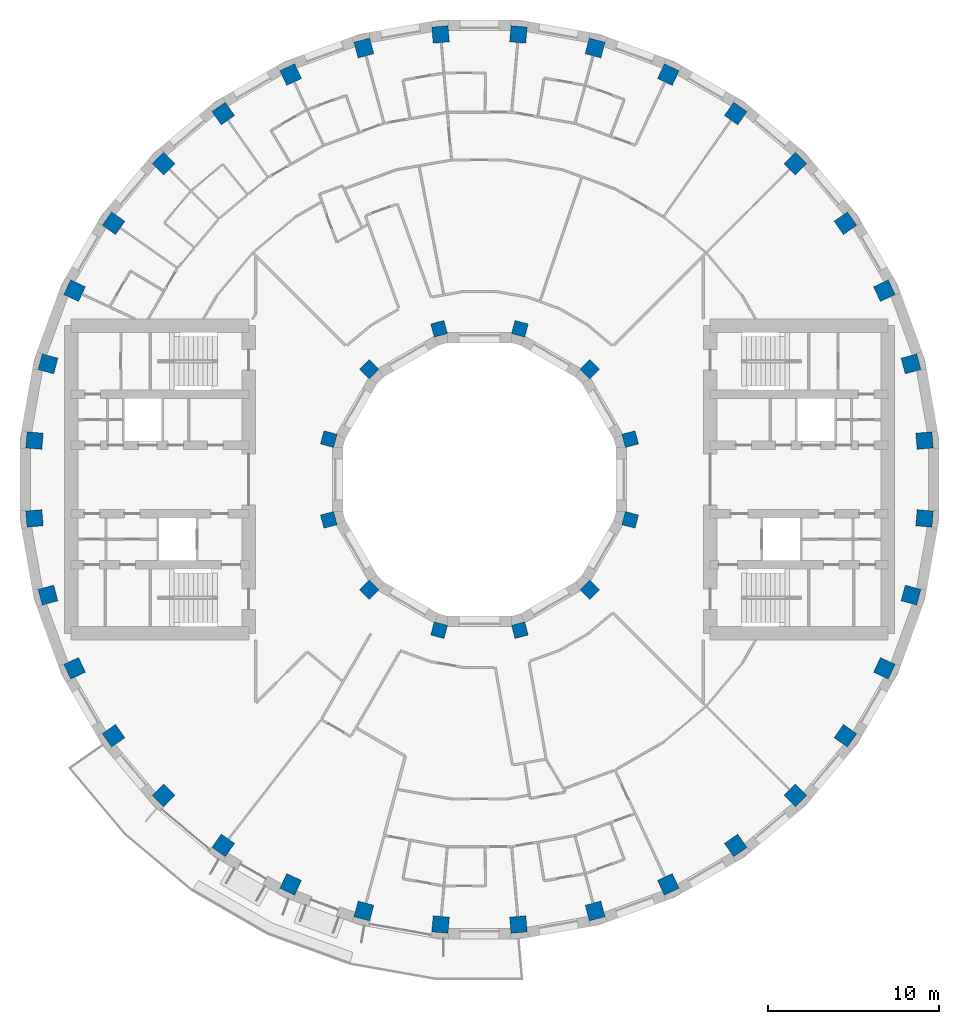
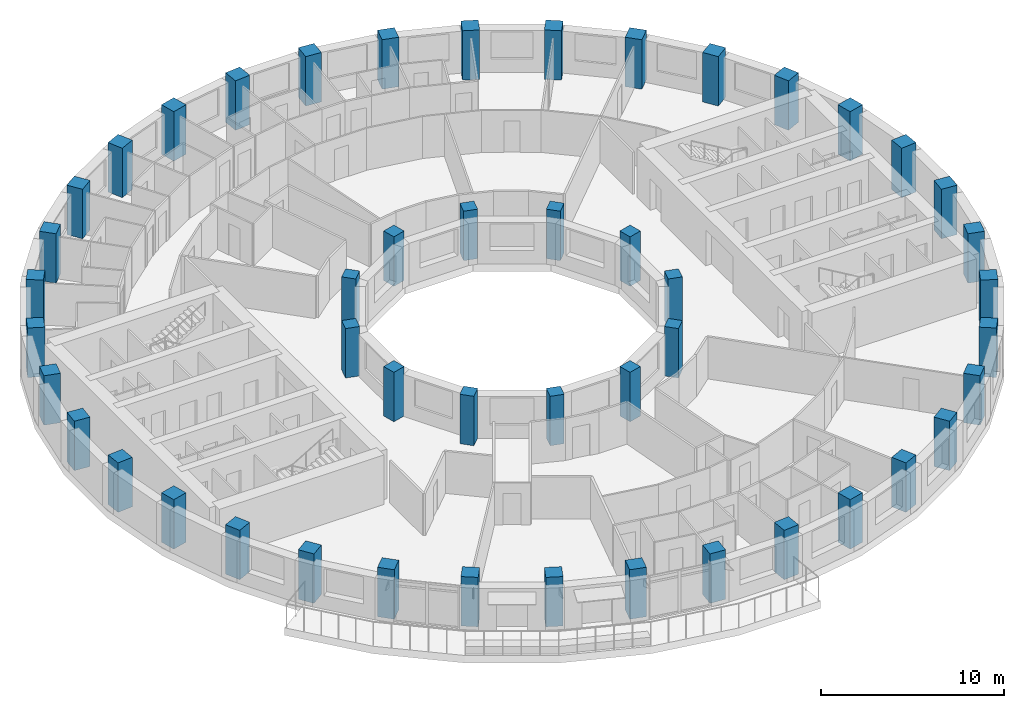
# One storey, part 1 of 14: 48 columns.
"""IFC4 building model written with IfcOpenShell, lengths in metres."""

from ifc_helpers import new_model, si_unit, direction, frame, origin, origin_2d, place, context, subcontext, project, spatial, rectangle, extrude, material, material_profile, profile_set, type_object, element, save


model = new_model("IFC4")

# Units and contexts
model_context = context("Model", 3, precision=1e-05, world=origin(), true_north=direction((0.0, 1.0)))
body_context = subcontext(model_context, "Body", "Model", "MODEL_VIEW")
ifc_project = project(units=[si_unit("LENGTHUNIT", "METRE"), si_unit("AREAUNIT", "SQUARE_METRE"), si_unit("VOLUMEUNIT", "CUBIC_METRE"), si_unit("PLANEANGLEUNIT", "RADIAN"), si_unit("MASSUNIT", "GRAM", prefix="KILO")], contexts=[model_context])

# Site, building, storey
site_placement = place(None, origin())
site = spatial("IfcSite", under=ifc_project, at=site_placement, CompositionType="ELEMENT")
building_placement = place(site_placement, origin())
building = spatial("IfcBuilding", under=site, at=building_placement, Name="Saqina Gate Tower", CompositionType="ELEMENT")
storey_placement = place(building_placement, frame((0.0, 0.0, 131.5)))
storey = spatial("IfcBuildingStorey", under=building, at=storey_placement, Name="L37", CompositionType="ELEMENT", Elevation=131.5)

# Columns
ifc_material_1 = material(Name="Concrete C70/85", Category="concrete")
ifc_material_profile_1 = material_profile(ifc_material_1, rectangle(XDim=0.800048828125, YDim=0.800048828125, at=origin_2d()), Name="RC 800x800")
ifc_profile_set_1 = profile_set([ifc_material_profile_1], Name="Concrete C70/85")
column_type_1 = type_object("IfcColumnType", Name="STR-COL-IN-B", PredefinedType="COLUMN", material=ifc_profile_set_1)
for number, where, z_axis, x_axis, name in (
    (1, (8.821044921875, 2.363525390625, 0.0), (0.0, 0.0, 1.0), (0.965925826289, 0.258819045103, 0.0), "L37-ICL01"),
    (2, (6.45751953125, 6.45751953125, 0.0), (0.0, 0.0, 1.0), (0.707106781187, 0.707106781187, 0.0), "L37-ICL02"),
    (3, (2.363525390625, 8.821044921875, 0.0), (0.0, 0.0, 1.0), (0.258819045103, 0.965925826289, 0.0), "L37-ICL03"),
    (4, (-2.363525390625, 8.821044921875, 0.0), (0.0, 0.0, 1.0), (-0.258819045103, 0.965925826289, 0.0), "L37-ICL04"),
    (5, (-6.45751953125, 6.45751953125, 0.0), (0.0, 0.0, 1.0), (-0.707106781187, 0.707106781187, 0.0), "L37-ICL05"),
    (6, (-8.821044921875, 2.363525390625, 0.0), (0.0, 0.0, 1.0), (-0.965925826289, 0.258819045103, 0.0), "L37-ICL06"),
    (7, (-8.821044921875, -2.363525390625, 0.0), (0.0, 0.0, 1.0), (-0.965925826289, -0.258819045103, 0.0), "L37-ICL07"),
    (8, (-6.45751953125, -6.45751953125, 0.0), (0.0, 0.0, 1.0), (-0.707106781187, -0.707106781187, 0.0), "L37-ICL08"),
    (9, (-2.363525390625, -8.821044921875, 0.0), (0.0, 0.0, 1.0), (-0.258819045103, -0.965925826289, 0.0), "L37-ICL09"),
    (10, (2.363525390625, -8.821044921875, 0.0), (0.0, 0.0, 1.0), (0.258819045103, -0.965925826289, 0.0), "L37-ICL10"),
    (11, (6.45751953125, -6.45751953125, 0.0), (0.0, 0.0, 1.0), (0.707106781187, -0.707106781187, 0.0), "L37-ICL11"),
    (12, (8.821044921875, -2.363525390625, 0.0), (0.0, 0.0, 1.0), (0.965925826289, -0.258819045103, 0.0), "L37-ICL12"),
):
    element("IfcColumn", number, at=place(storey_placement, frame(where, z_axis=z_axis, x_axis=x_axis)), inside=storey, type_object=column_type_1, Name=name, PredefinedType="COLUMN", context=body_context, shape_type="SweptSolid", body=[
        extrude(rectangle(XDim=0.800048828125, YDim=0.800048828125, at=origin_2d()), origin(), (0.0, 0.0, 1.0), 3.300048828125),
    ])
ifc_material_2 = material(Name="Concrete C70/85", Category="concrete")
ifc_material_profile_2 = material_profile(ifc_material_2, rectangle(XDim=0.949951171875, YDim=0.949951171875, at=origin_2d()), Name="RC 950x950")
ifc_profile_set_2 = profile_set([ifc_material_profile_2], Name="Concrete C70/85")
column_type_2 = type_object("IfcColumnType", Name="STR-COL-OUT-B", PredefinedType="COLUMN", material=ifc_profile_set_2)
for number, where, z_axis, x_axis, name in (
    (13, (26.050537109375, 2.279052734375, 0.0), (0.0, 0.0, 1.0), (0.996194698092, 0.087155742748, 0.0), "L37-COL01"),
    (14, (25.259033203125, 6.76806640625, 0.0), (0.0, 0.0, 1.0), (0.965925826289, 0.258819045103, 0.0), "L37-COL02"),
    (15, (23.699951171875, 11.051513671875, 0.0), (0.0, 0.0, 1.0), (0.906307787037, 0.422618261741, 0.0), "L37-COL03"),
    (16, (21.4208984375, 14.9990234375, 0.0), (0.0, 0.0, 1.0), (0.819152044289, 0.573576436351, 0.0), "L37-COL04"),
    (17, (18.49072265625, 18.49072265625, 0.0), (0.0, 0.0, 1.0), (0.707106781187, 0.707106781187, 0.0), "L37-COL05"),
    (18, (14.9990234375, 21.4208984375, 0.0), (0.0, 0.0, 1.0), (0.573576436351, 0.819152044289, 0.0), "L37-COL06"),
    (19, (11.051513671875, 23.699951171875, 0.0), (0.0, 0.0, 1.0), (0.422618261741, 0.906307787037, 0.0), "L37-COL07"),
    (20, (6.76806640625, 25.259033203125, 0.0), (0.0, 0.0, 1.0), (0.258819045103, 0.965925826289, 0.0), "L37-COL08"),
    (21, (2.279052734375, 26.050537109375, 0.0), (0.0, 0.0, 1.0), (0.087155742748, 0.996194698092, 0.0), "L37-COL09"),
    (22, (-2.279052734375, 26.050537109375, 0.0), (0.0, 0.0, 1.0), (-0.087155742748, 0.996194698092, 0.0), "L37-COL10"),
    (23, (-6.76806640625, 25.259033203125, 0.0), (0.0, 0.0, 1.0), (-0.258819045103, 0.965925826289, 0.0), "L37-COL11"),
    (24, (-11.051513671875, 23.699951171875, 0.0), (0.0, 0.0, 1.0), (-0.422618261741, 0.906307787037, 0.0), "L37-COL12"),
    (25, (-14.9990234375, 21.4208984375, 0.0), (0.0, 0.0, 1.0), (-0.573576436351, 0.819152044289, 0.0), "L37-COL13"),
    (26, (-18.49072265625, 18.49072265625, 0.0), (0.0, 0.0, 1.0), (-0.707106781187, 0.707106781187, 0.0), "L37-COL14"),
    (27, (-21.4208984375, 14.9990234375, 0.0), (0.0, 0.0, 1.0), (-0.819152044289, 0.573576436351, 0.0), "L37-COL15"),
    (28, (-23.699951171875, 11.051513671875, 0.0), (0.0, 0.0, 1.0), (-0.906307787037, 0.422618261741, 0.0), "L37-COL16"),
    (29, (-25.259033203125, 6.76806640625, 0.0), (0.0, 0.0, 1.0), (-0.965925826289, 0.258819045103, 0.0), "L37-COL17"),
    (30, (-26.050537109375, 2.279052734375, 0.0), (0.0, 0.0, 1.0), (-0.996194698092, 0.087155742748, 0.0), "L37-COL18"),
    (31, (-26.050537109375, -2.279052734375, 0.0), (0.0, 0.0, 1.0), (-0.996194698092, -0.087155742748, 0.0), "L37-COL19"),
    (32, (-25.259033203125, -6.76806640625, 0.0), (0.0, 0.0, 1.0), (-0.965925826289, -0.258819045103, 0.0), "L37-COL20"),
    (33, (-23.699951171875, -11.051513671875, 0.0), (0.0, 0.0, 1.0), (-0.906307787037, -0.422618261741, 0.0), "L37-COL21"),
    (34, (-21.4208984375, -14.9990234375, 0.0), (0.0, 0.0, 1.0), (-0.819152044289, -0.573576436351, 0.0), "L37-COL22"),
    (35, (-18.49072265625, -18.49072265625, 0.0), (0.0, 0.0, 1.0), (-0.707106781187, -0.707106781187, 0.0), "L37-COL23"),
    (36, (-14.9990234375, -21.4208984375, 0.0), (0.0, 0.0, 1.0), (-0.573576436351, -0.819152044289, 0.0), "L37-COL24"),
    (37, (-11.051513671875, -23.699951171875, 0.0), (0.0, 0.0, 1.0), (-0.422618261741, -0.906307787037, 0.0), "L37-COL25"),
    (38, (-6.76806640625, -25.259033203125, 0.0), (0.0, 0.0, 1.0), (-0.258819045103, -0.965925826289, 0.0), "L37-COL26"),
    (39, (-2.279052734375, -26.050537109375, 0.0), (0.0, 0.0, 1.0), (-0.087155742748, -0.996194698092, 0.0), "L37-COL27"),
    (40, (2.279052734375, -26.050537109375, 0.0), (0.0, 0.0, 1.0), (0.087155742748, -0.996194698092, 0.0), "L37-COL28"),
    (41, (6.76806640625, -25.259033203125, 0.0), (0.0, 0.0, 1.0), (0.258819045103, -0.965925826289, 0.0), "L37-COL29"),
    (42, (11.051513671875, -23.699951171875, 0.0), (0.0, 0.0, 1.0), (0.422618261741, -0.906307787037, 0.0), "L37-COL30"),
    (43, (14.9990234375, -21.4208984375, 0.0), (0.0, 0.0, 1.0), (0.573576436351, -0.819152044289, 0.0), "L37-COL31"),
    (44, (18.49072265625, -18.49072265625, 0.0), (0.0, 0.0, 1.0), (0.707106781187, -0.707106781187, 0.0), "L37-COL32"),
    (45, (21.4208984375, -14.9990234375, 0.0), (0.0, 0.0, 1.0), (0.819152044289, -0.573576436351, 0.0), "L37-COL33"),
    (46, (23.699951171875, -11.051513671875, 0.0), (0.0, 0.0, 1.0), (0.906307787037, -0.422618261741, 0.0), "L37-COL34"),
    (47, (25.259033203125, -6.76806640625, 0.0), (0.0, 0.0, 1.0), (0.965925826289, -0.258819045103, 0.0), "L37-COL35"),
    (48, (26.050537109375, -2.279052734375, 0.0), (0.0, 0.0, 1.0), (0.996194698092, -0.087155742748, 0.0), "L37-COL36"),
):
    element("IfcColumn", number, at=place(storey_placement, frame(where, z_axis=z_axis, x_axis=x_axis)), inside=storey, type_object=column_type_2, Name=name, PredefinedType="COLUMN", context=body_context, shape_type="SweptSolid", body=[
        extrude(rectangle(XDim=0.949951171875, YDim=0.949951171875, at=origin_2d()), origin(), (0.0, 0.0, 1.0), 3.300048828125),
    ])

save(model, "model.ifc")
